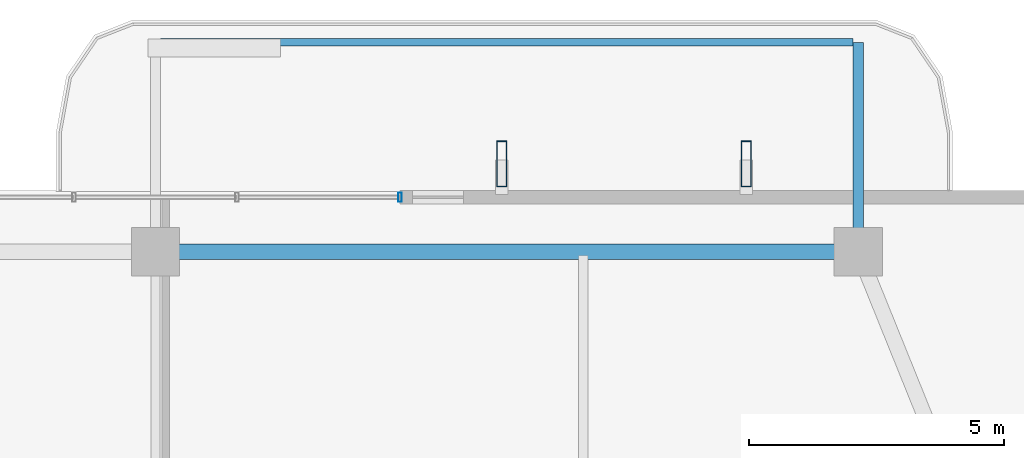
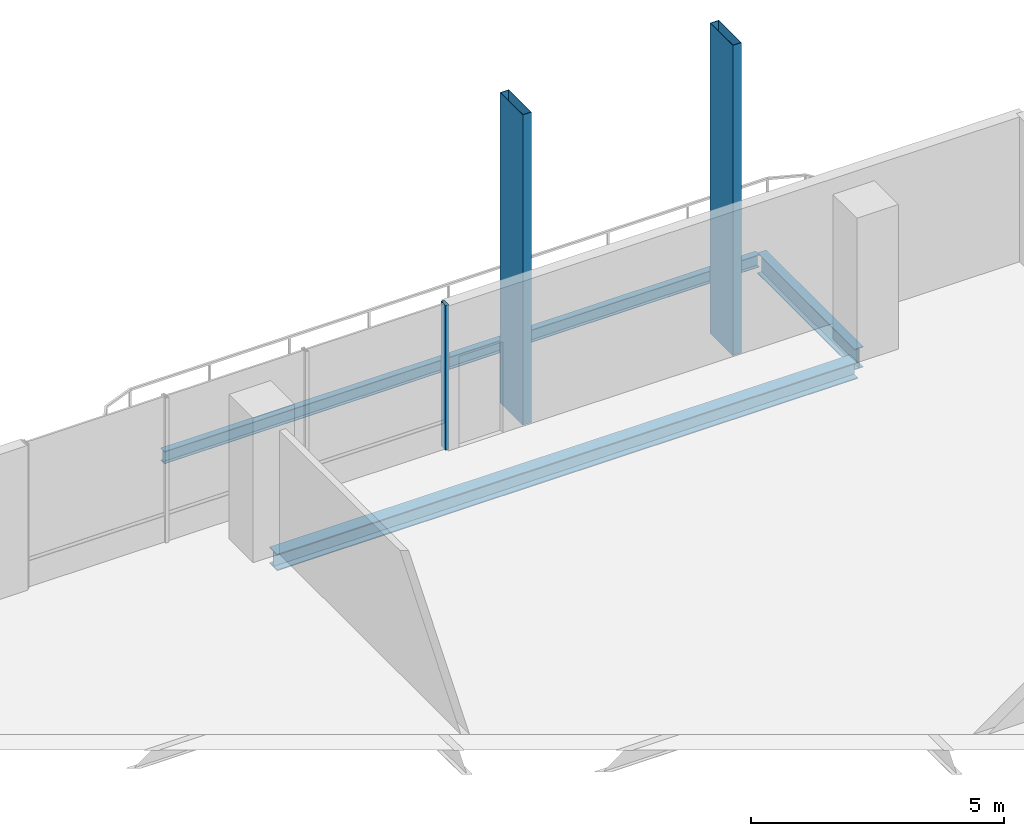
# One storey, part 16 of 25: 3 beams, 3 members, 1 element without a shape of its own.
"""IFC4 building model written with IfcOpenShell, lengths in metres."""

from ifc_helpers import new_model, si_unit, direction, frame, origin, origin_2d, place, context, subcontext, project, spatial, hollow_rectangle, i_section, extrude, material, layer, layer_set, material_profile, profile_set, type_object, element, aggregate, save


model = new_model("IFC4")

# Units and contexts
model_context = context("Model", 3, precision=1e-05, world=origin(), true_north=direction((0.0, 1.0)))
body_context = subcontext(model_context, "Body", "Model", "MODEL_VIEW")
ifc_project = project(units=[si_unit("LENGTHUNIT", "METRE"), si_unit("AREAUNIT", "SQUARE_METRE"), si_unit("VOLUMEUNIT", "CUBIC_METRE"), si_unit("PLANEANGLEUNIT", "RADIAN"), si_unit("MASSUNIT", "GRAM", prefix="KILO")], contexts=[model_context])

# Site, building, storey
site_placement = place(None, origin())
site = spatial("IfcSite", under=ifc_project, at=site_placement, CompositionType="ELEMENT")
building_placement = place(site_placement, origin())
building = spatial("IfcBuilding", under=site, at=building_placement, Name="Belovzor Exchange Tower", CompositionType="ELEMENT")
storey_placement = place(building_placement, frame((0.0, 0.0, 265.35009765625)))
storey = spatial("IfcBuildingStorey", under=building, at=storey_placement, Name="L66", CompositionType="ELEMENT", Elevation=265.35009765625)

# Beams
ifc_material_1 = material(Name="Steel S355", Category="steel")
ifc_material_profile_1 = material_profile(ifc_material_1, i_section(OverallWidth=0.199951171875, OverallDepth=0.5, WebThickness=0.01025390625, FlangeThickness=0.01611328125, at=origin_2d()))
ifc_profile_set_1 = profile_set([ifc_material_profile_1], Name="Steel S355")
beam_type_1 = type_object("IfcBeamType", Name="Planted Balcony Cantilever Beam IPE 500", PredefinedType="BEAM", material=ifc_profile_set_1)
beam_1_placement = place(storey_placement, frame((42.60009765625, 52.760986328125, -0.5), z_axis=(0.0, 1.0, 0.0), x_axis=(-1.0, 0.0, 0.0)))
element("IfcBeam", 1, at=beam_1_placement, inside=storey, type_object=beam_type_1, Name="BC-500 Planted Balcony Cantilever Beam IPE 500", PredefinedType="BEAM", context=body_context, shape_type="SweptSolid", body=[
    extrude(i_section(OverallWidth=0.199951171875, OverallDepth=0.5, WebThickness=0.01025390625, FlangeThickness=0.01611328125, at=origin_2d()), origin(), (0.0, 0.0, 1.0), 3.85009765625),
])
ifc_material_2 = material(Name="Steel S355", Category="steel")
ifc_material_profile_2 = material_profile(ifc_material_2, i_section(OverallWidth=0.14990234375, OverallDepth=0.300048828125, WebThickness=0.007080078125, FlangeThickness=0.0107421875, at=origin_2d()))
ifc_profile_set_2 = profile_set([ifc_material_profile_2], Name="Steel S355")
beam_type_2 = type_object("IfcBeamType", Name="Planted Balcony Fascia Edge Beam IPE 300", PredefinedType="BEAM", material=ifc_profile_set_2)
beam_2_placement = place(storey_placement, frame((42.5, 56.611083984375, -0.400146484375), z_axis=(-1.0, 0.0, 0.0), x_axis=(0.0, -1.0, 0.0)))
element("IfcBeam", 2, at=beam_2_placement, inside=storey, type_object=beam_type_2, Name="BC-300 Planted Balcony Fascia Edge Beam IPE 300", PredefinedType="BEAM", context=body_context, shape_type="SweptSolid", body=[
    extrude(i_section(OverallWidth=0.14990234375, OverallDepth=0.300048828125, WebThickness=0.007080078125, FlangeThickness=0.0107421875, at=origin_2d()), origin(), (0.0, 0.0, 1.0), 13.60009765625),
])

# Members
ifc_material_3 = material(Name="Extruded Architectural Terracotta on Steel S355 Carrier", Category="masonry")
ifc_material_profile_3 = material_profile(ifc_material_3, hollow_rectangle(XDim=0.199951171875, YDim=0.89990234375, WallThickness=0.011962890625, at=origin_2d()))
ifc_profile_set_3 = profile_set([ifc_material_profile_3], Name="Extruded Architectural Terracotta on Steel S355 Carrier")
member_type_1 = type_object("IfcMemberType", Name="Sweeping Terracotta Baguette Fin Assembly 950", PredefinedType="USERDEFINED", material=ifc_profile_set_3)
for number, where, z_axis, x_axis, name in (
    (3, (35.60009765625, 54.22509765625, -0.25), (0.0, 0.0, 1.0), (1.0, 0.0, 0.0), "FIN-TC095 Terracotta Facade Fin L66 N3"),
    (4, (40.39990234375, 54.22509765625, -0.25), (0.0, 0.0, 1.0), (1.0, 0.0, 0.0), "FIN-TC095 Terracotta Facade Fin L66 N4"),
):
    element("IfcMember", number, at=place(storey_placement, frame(where, z_axis=z_axis, x_axis=x_axis)), inside=storey, type_object=member_type_1, Name=name, ObjectType="FIN", PredefinedType="USERDEFINED", context=body_context, shape_type="SweptSolid", body=[
        extrude(hollow_rectangle(XDim=0.199951171875, YDim=0.89990234375, WallThickness=0.011962890625, at=origin_2d()), origin(), (0.0, 0.0, 1.0), 7.5),
    ])

# Curtain wall, member
ifc_material_4 = material(Name="Anodised Aluminium Framing", Category="aluminium")
ifc_layer = layer(ifc_material_4, 0.179931640625)
ifc_layer_set = layer_set([ifc_layer], Name="Anodised Aluminium Framing")
curtain_wall_type = type_object("IfcCurtainWallType", Name="Recessed Loggia Low-Iron Triple-Glazed Curtain Wall", PredefinedType="NOTDEFINED", material=ifc_layer_set)
curtain_wall_placement = place(storey_placement, origin())
curtain_wall = element("IfcCurtainWall", 5, at=curtain_wall_placement, inside=storey, type_object=curtain_wall_type, Name="CW3 Recessed Loggia Low-Iron Triple-Glazed Curtain Wall L66", PredefinedType="NOTDEFINED")
ifc_material_5 = material(Name="Steel S355", Category="steel")
ifc_material_profile_4 = material_profile(ifc_material_5, hollow_rectangle(XDim=0.074951171875, YDim=0.179931640625, WallThickness=0.0048828125, at=origin_2d()))
ifc_profile_set_4 = profile_set([ifc_material_profile_4], Name="Steel S355")
member_type_2 = type_object("IfcMemberType", Name="Thermally Broken Curtain Wall Mullion 180x75", PredefinedType="MULLION", material=ifc_profile_set_4)
member_placement = place(storey_placement, frame((33.60009765625, 53.570068359375, 0.0), z_axis=(0.0, 0.0, 1.0), x_axis=(1.0, 0.0, 0.0)))
member = element("IfcMember", 6, at=member_placement, type_object=member_type_2, Name="CW-M180 Curtain Wall Mullion 4", PredefinedType="MULLION", context=body_context, shape_type="SweptSolid", body=[
    extrude(hollow_rectangle(XDim=0.074951171875, YDim=0.179931640625, WallThickness=0.0048828125, at=origin_2d()), origin(), (0.0, 0.0, 1.0), 3.5),
])
aggregate(curtain_wall, [member])

# Beam
ifc_material_6 = material(Name="Steel S355", Category="steel")
ifc_material_profile_5 = material_profile(ifc_material_6, i_section(OverallWidth=0.300048828125, OverallDepth=0.39990234375, WebThickness=0.013427734375, FlangeThickness=0.02392578125, at=origin_2d()))
ifc_profile_set_5 = profile_set([ifc_material_profile_5], Name="Steel S355")
beam_type_3 = type_object("IfcBeamType", Name="Zone 5 Primary Girder HEB 400", PredefinedType="BEAM", material=ifc_profile_set_5)
beam_3_placement = place(storey_placement, frame((42.339111328125, 52.5, -0.4501953125), z_axis=(-1.0, 0.0, 0.0), x_axis=(0.0, -1.0, 0.0)))
element("IfcBeam", 7, at=beam_3_placement, inside=storey, type_object=beam_type_3, Name="FG-Z5 Zone 5 Primary Girder HEB 400", PredefinedType="BEAM", context=body_context, shape_type="SweptSolid", body=[
    extrude(i_section(OverallWidth=0.300048828125, OverallDepth=0.39990234375, WebThickness=0.013427734375, FlangeThickness=0.02392578125, at=origin_2d()), origin(), (0.0, 0.0, 1.0), 13.278076171875),
])

save(model, "model.ifc")
